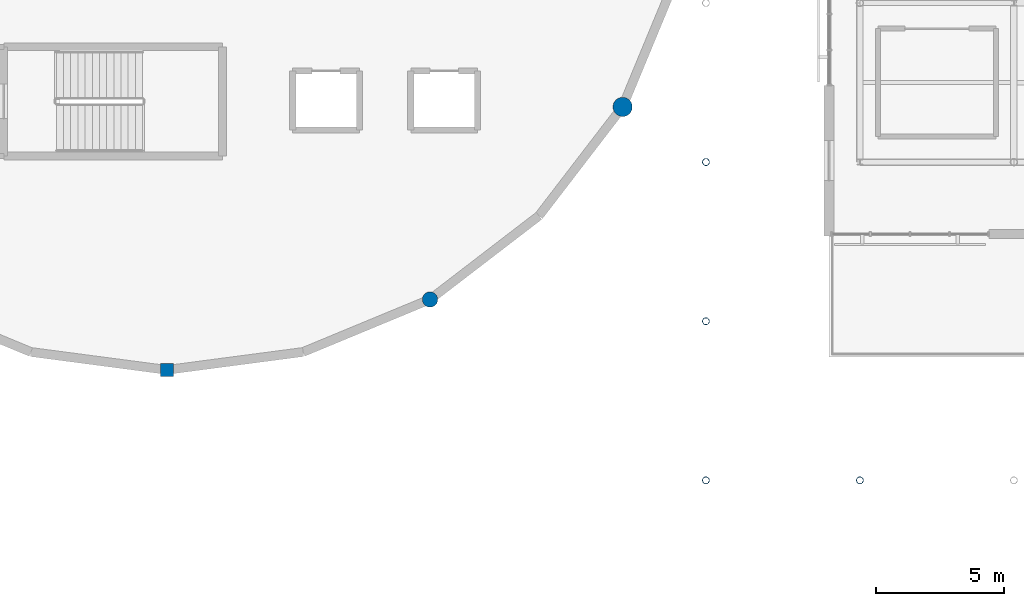
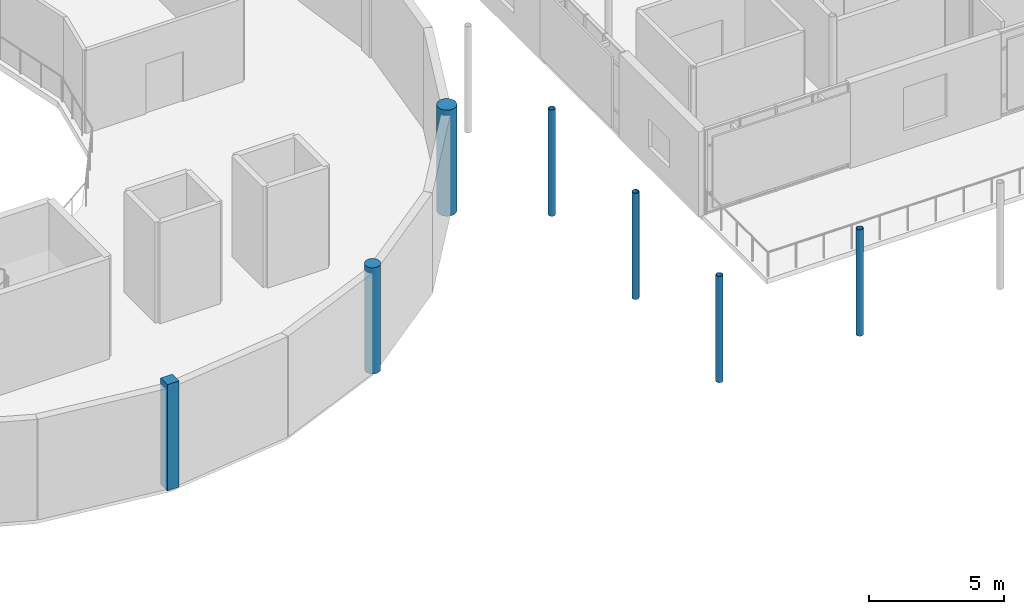
# One storey, part 4 of 66: 7 columns.
"""IFC4 building model written with IfcOpenShell, lengths in metres."""

from ifc_helpers import new_model, si_unit, direction, frame, origin, origin_2d, place, context, subcontext, project, spatial, rectangle, circle, hollow_circle, extrude, material, material_profile, profile_set, type_object, element, save


model = new_model("IFC4")

# Units and contexts
model_context = context("Model", 3, precision=1e-05, world=origin(), true_north=direction((0.0, 1.0)))
body_context = subcontext(model_context, "Body", "Model", "MODEL_VIEW")
ifc_project = project(units=[si_unit("LENGTHUNIT", "METRE"), si_unit("AREAUNIT", "SQUARE_METRE"), si_unit("VOLUMEUNIT", "CUBIC_METRE"), si_unit("PLANEANGLEUNIT", "RADIAN"), si_unit("MASSUNIT", "GRAM", prefix="KILO")], contexts=[model_context])

# Site, building, storey
site_placement = place(None, origin())
site = spatial("IfcSite", under=ifc_project, at=site_placement, CompositionType="ELEMENT")
building_placement = place(site_placement, origin())
building = spatial("IfcBuilding", under=site, at=building_placement, Name="Mirzam Square Science Centre", CompositionType="ELEMENT")
storey_placement = place(building_placement, frame((0.0, 0.0, 15.60009765625)))
storey = spatial("IfcBuildingStorey", under=building, at=storey_placement, Name="L03", CompositionType="ELEMENT", Elevation=15.60009765625)

# Columns
ifc_material_1 = material(Name="Steel S355", Category="steel")
ifc_material_profile_1 = material_profile(ifc_material_1, hollow_circle(Radius=0.136474609375, WallThickness=0.010009765625, at=origin_2d()), Name="273.0x10.0CHS")
ifc_profile_set_1 = profile_set([ifc_material_profile_1], Name="Steel S355")
column_type_1 = type_object("IfcColumnType", Name="COL-CHS273", PredefinedType="COLUMN", material=ifc_profile_set_1)
for number, where, z_axis, x_axis, name in (
    (1, (102.0, 37.199951171875, 0.0), (0.0, 0.0, 1.0), (1.0, 0.0, 0.0), "L03 column G18-07"),
    (2, (102.0, 43.39990234375, 0.0), (0.0, 0.0, 1.0), (1.0, 0.0, 0.0), "L03 column G18-08"),
    (3, (102.0, 49.60009765625, 0.0), (0.0, 0.0, 1.0), (1.0, 0.0, 0.0), "L03 column G18-09"),
    (4, (108.0, 37.199951171875, 0.0), (0.0, 0.0, 1.0), (1.0, 0.0, 0.0), "L03 column G19-07"),
):
    element("IfcColumn", number, at=place(storey_placement, frame(where, z_axis=z_axis, x_axis=x_axis)), inside=storey, type_object=column_type_1, Name=name, PredefinedType="COLUMN", context=body_context, shape_type="SweptSolid", body=[
        extrude(hollow_circle(Radius=0.136474609375, WallThickness=0.010009765625, at=origin_2d()), origin(), (0.0, 0.0, 1.0), 4.7998046875),
    ])
ifc_material_2 = material(Name="Concrete C45/55", Category="concrete")
ifc_material_profile_2 = material_profile(ifc_material_2, rectangle(XDim=0.5, YDim=0.5, at=origin_2d()), Name="RC500x500")
ifc_profile_set_2 = profile_set([ifc_material_profile_2], Name="Concrete C45/55")
column_type_2 = type_object("IfcColumnType", Name="PIL-RC500", PredefinedType="PILASTER", material=ifc_profile_set_2)
column_1_placement = place(storey_placement, frame((81.0, 41.5, 0.0), z_axis=(0.0, 0.0, 1.0), x_axis=(1.0, 0.0, 0.0)))
element("IfcColumn", 5, at=column_1_placement, inside=storey, type_object=column_type_2, Name="L03 drum pilaster 19", PredefinedType="PILASTER", context=body_context, shape_type="SweptSolid", body=[
    extrude(rectangle(XDim=0.5, YDim=0.5, at=origin_2d()), origin(), (0.0, 0.0, 1.0), 4.7998046875),
])
ifc_material_profile_3 = material_profile(ifc_material_2, circle(Radius=0.300048828125, at=origin_2d()), Name="RCD600")
ifc_profile_set_3 = profile_set([ifc_material_profile_3], Name="Concrete C45/55")
column_type_3 = type_object("IfcColumnType", Name="PIL-RCD600", PredefinedType="PILASTER", material=ifc_profile_set_3)
column_2_placement = place(storey_placement, frame((91.25, 44.24658203125, 0.0), z_axis=(0.0, 0.0, 1.0), x_axis=(1.0, 0.0, 0.0)))
element("IfcColumn", 6, at=column_2_placement, inside=storey, type_object=column_type_3, Name="L03 drum pilaster 21", PredefinedType="PILASTER", context=body_context, shape_type="SweptSolid", body=[
    extrude(circle(Radius=0.300048828125, at=origin_2d()), origin(), (0.0, 0.0, 1.0), 4.7998046875),
])
ifc_material_profile_4 = material_profile(ifc_material_2, circle(Radius=0.375, at=origin_2d()), Name="RCD750")
ifc_profile_set_4 = profile_set([ifc_material_profile_4], Name="Concrete C45/55")
column_type_4 = type_object("IfcColumnType", Name="PIL-RCD750", PredefinedType="PILASTER", material=ifc_profile_set_4)
column_3_placement = place(storey_placement, frame((98.75341796875, 51.75, 0.0), z_axis=(0.0, 0.0, 1.0), x_axis=(1.0, 0.0, 0.0)))
element("IfcColumn", 7, at=column_3_placement, inside=storey, type_object=column_type_4, Name="L03 drum pilaster 23", PredefinedType="PILASTER", context=body_context, shape_type="SweptSolid", body=[
    extrude(circle(Radius=0.375, at=origin_2d()), origin(), (0.0, 0.0, 1.0), 4.7998046875),
])

save(model, "model.ifc")
